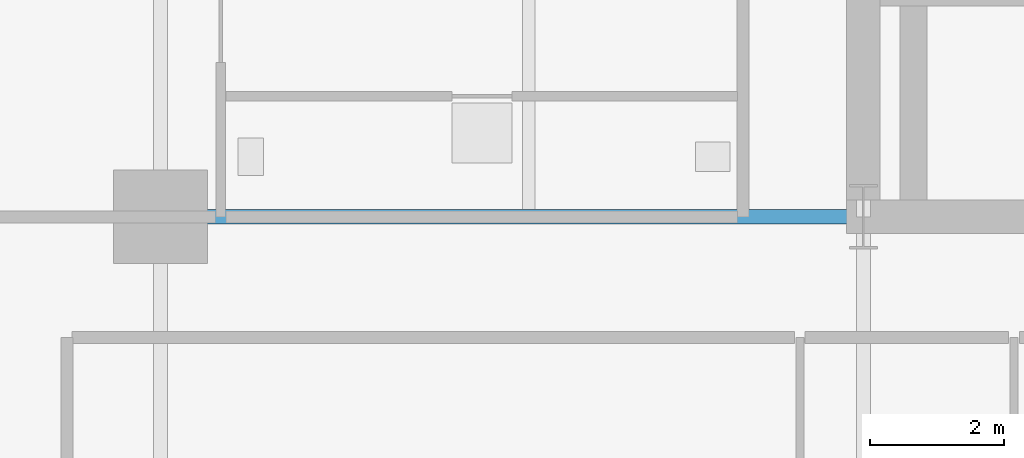
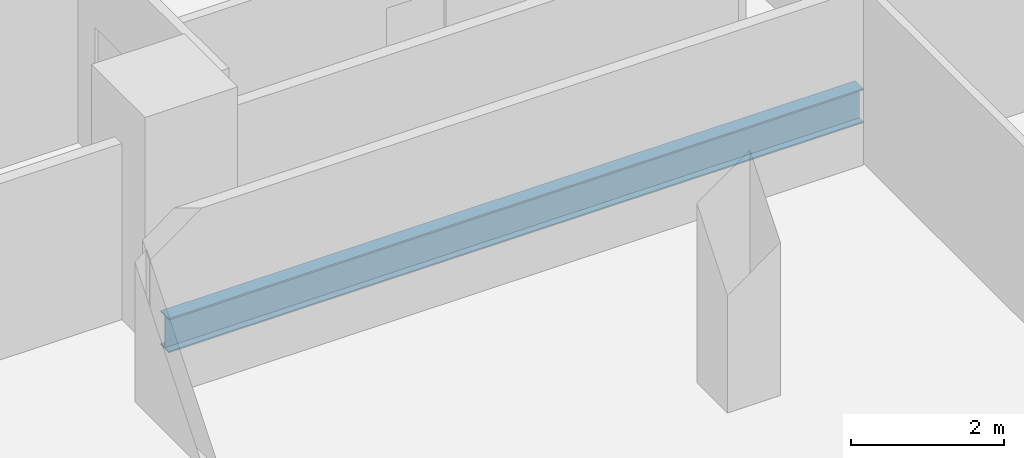
# One storey, part 5 of 23: 1 beam.
"""IFC4 building model written with IfcOpenShell, lengths in metres."""

from ifc_helpers import new_model, si_unit, direction, frame, origin, origin_2d, place, context, subcontext, project, spatial, i_section, extrude, material, material_profile, profile_set, type_object, element, save


model = new_model("IFC4")

# Units and contexts
model_context = context("Model", 3, precision=1e-05, world=origin(), true_north=direction((0.0, 1.0)))
body_context = subcontext(model_context, "Body", "Model", "MODEL_VIEW")
ifc_project = project(units=[si_unit("LENGTHUNIT", "METRE"), si_unit("AREAUNIT", "SQUARE_METRE"), si_unit("VOLUMEUNIT", "CUBIC_METRE"), si_unit("PLANEANGLEUNIT", "RADIAN"), si_unit("MASSUNIT", "GRAM", prefix="KILO")], contexts=[model_context])

# Site, building, storey
site_placement = place(None, origin())
site = spatial("IfcSite", under=ifc_project, at=site_placement, CompositionType="ELEMENT")
building_placement = place(site_placement, origin())
building = spatial("IfcBuilding", under=site, at=building_placement, Name="Barlavira Tower and Art Museum", CompositionType="ELEMENT")
storey_placement = place(building_placement, frame((0.0, 0.0, 54.0)))
storey = spatial("IfcBuildingStorey", under=building, at=storey_placement, Name="L12", CompositionType="ELEMENT", Elevation=54.0)

# Beam
ifc_material = material(Name="Steel S355", Category="steel")
ifc_material_profile = material_profile(ifc_material, i_section(OverallWidth=0.214111328125, OverallDepth=0.549072265625, WebThickness=0.0146484375, FlangeThickness=0.023681640625, at=origin_2d()), Name="W530x138.0")
ifc_profile_set = profile_set([ifc_material_profile], Name="Steel S355")
beam_type = type_object("IfcBeamType", Name="Zone 1 Primary Floor Girder W530x138 Steel S355", PredefinedType="BEAM", material=ifc_profile_set)
beam_placement = place(storey_placement, frame((-17.0, -7.5, -0.494384765625), z_axis=(1.0, 0.0, 0.0), x_axis=(0.0, 1.0, 0.0)))
element("IfcBeam", 1, at=beam_placement, inside=storey, type_object=beam_type, Name="L12 Girder R-W1", PredefinedType="BEAM", context=body_context, shape_type="SweptSolid", body=[
    extrude(i_section(OverallWidth=0.214111328125, OverallDepth=0.549072265625, WebThickness=0.0146484375, FlangeThickness=0.023681640625, at=origin_2d()), origin(), (0.0, 0.0, 1.0), 10.5),
])

save(model, "model.ifc")
